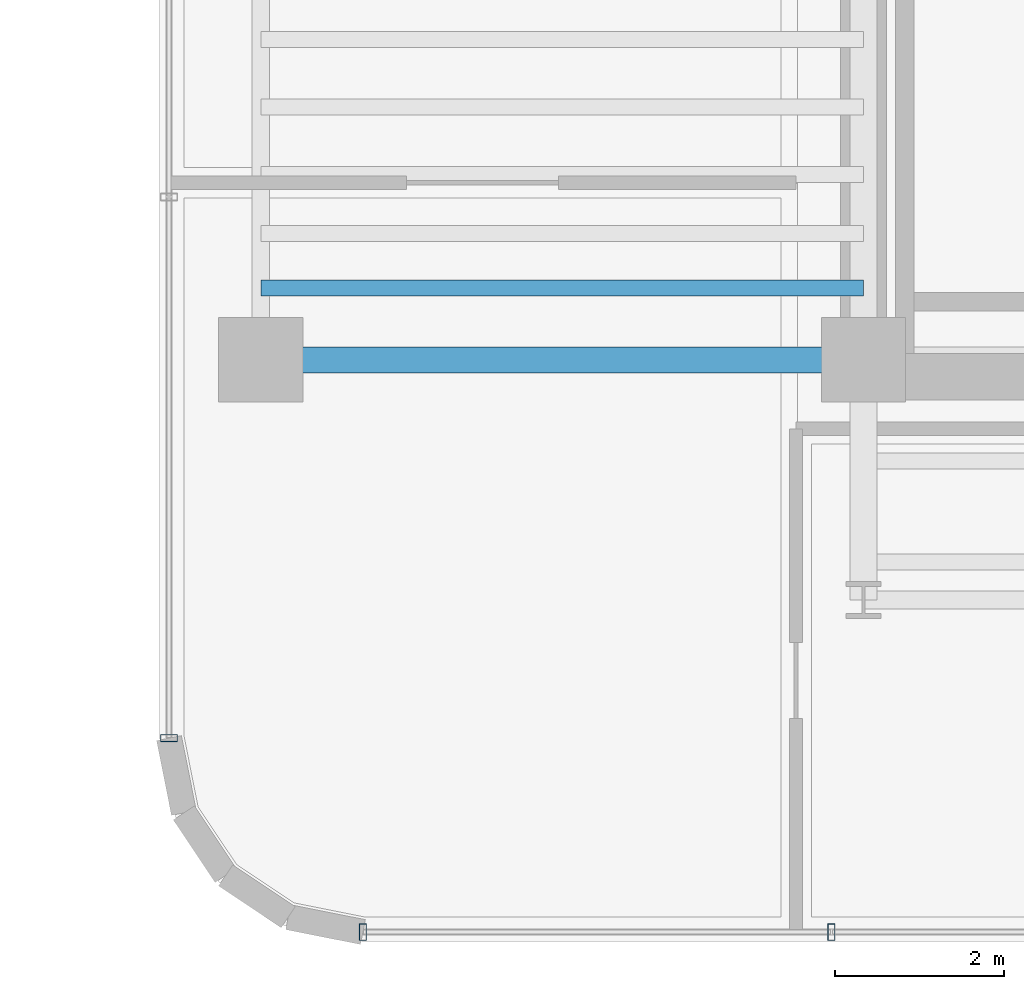
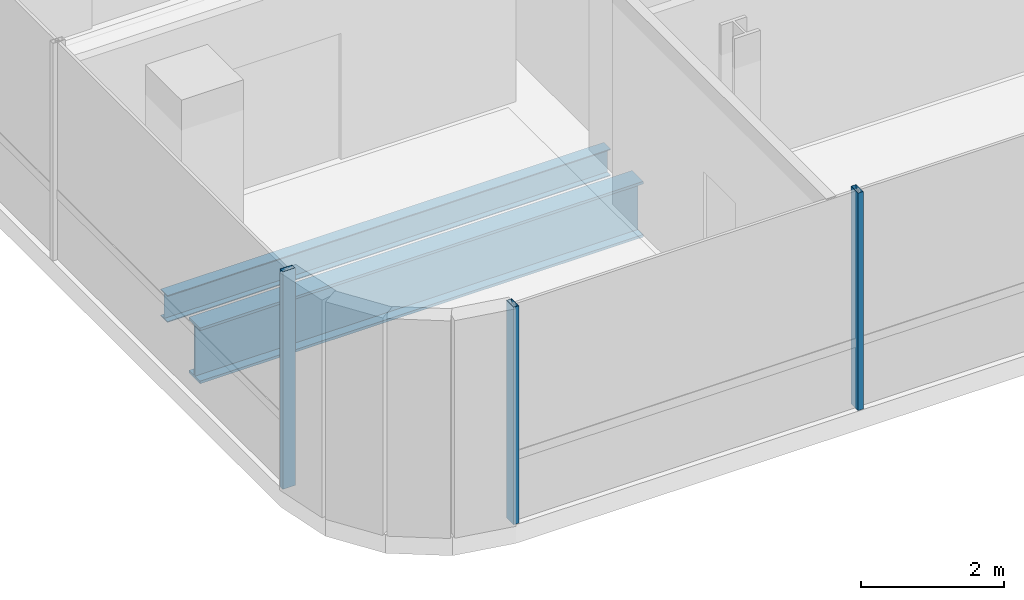
# One storey, part 2 of 35: 3 members, 2 beams, 2 elements without a shape of their own.
"""IFC4 building model written with IfcOpenShell, lengths in metres."""

from ifc_helpers import new_model, si_unit, direction, frame, origin, origin_2d, place, context, subcontext, project, spatial, hollow_rectangle, i_section, extrude, source, transform, mapped, material, material_profile, profile_set, type_object, element, aggregate, save


model = new_model("IFC4")

# Units and contexts
model_context = context("Model", 3, precision=1e-05, world=origin(), true_north=direction((0.0, 1.0)))
body_context = subcontext(model_context, "Body", "Model", "MODEL_VIEW")
ifc_project = project(units=[si_unit("LENGTHUNIT", "METRE"), si_unit("AREAUNIT", "SQUARE_METRE"), si_unit("VOLUMEUNIT", "CUBIC_METRE"), si_unit("PLANEANGLEUNIT", "RADIAN"), si_unit("MASSUNIT", "GRAM", prefix="KILO")], contexts=[model_context])

# Site, building, storey
site_placement = place(None, origin())
site = spatial("IfcSite", under=ifc_project, at=site_placement, CompositionType="ELEMENT")
building_placement = place(site_placement, origin())
building = spatial("IfcBuilding", under=site, at=building_placement, Name="Valdorenza Pilgrim Sanctuary Tower", CompositionType="ELEMENT")
storey_placement = place(building_placement, frame((0.0, 0.0, 192.35009765625)))
storey = spatial("IfcBuildingStorey", under=building, at=storey_placement, Name="L49", CompositionType="ELEMENT", Elevation=192.35009765625)

# Beams
ifc_material_1 = material(Name="Steel ASTM A992 Grade 50", Category="steel")
ifc_material_profile_1 = material_profile(ifc_material_1, i_section(OverallWidth=0.19091796875, OverallDepth=0.45703125, WebThickness=0.009033203125, FlangeThickness=0.014404296875, at=origin_2d()), Name="W18X50")
ifc_profile_set_1 = profile_set([ifc_material_profile_1], Name="Steel ASTM A992 Grade 50")
beam_type_1 = type_object("IfcBeamType", Name="STR-BM-JST-W18B", PredefinedType="JOIST", material=ifc_profile_set_1)
shared_shape_1 = source(origin(), body_context, "Body", "SweptSolid", [
    extrude(i_section(OverallWidth=0.19091796875, OverallDepth=0.45703125, WebThickness=0.009033203125, FlangeThickness=0.014404296875, at=origin_2d()), origin(), (0.0, 0.0, 1.0), 7.150146484375),
])
beam_1_placement = place(storey_placement, frame((-29.800048828125, -9.75, -0.548583984375), z_axis=(1.0, 0.0, 0.0), x_axis=(0.0, 1.0, 0.0)))
element("IfcBeam", 1, at=beam_1_placement, inside=storey, type_object=beam_type_1, Name="L49 Composite Floor Joist JST-WA-1", PredefinedType="JOIST", context=body_context, shape_type="MappedRepresentation", body=[
    mapped(shared_shape_1, transform((0.0, 0.0, 0.0), x_axis=(1.0, 0.0, 0.0), y_axis=(0.0, 1.0, 0.0), z_axis=(0.0, 0.0, 1.0), scale=1.0)),
])
ifc_material_profile_2 = material_profile(ifc_material_1, i_section(OverallWidth=0.31005859375, OverallDepth=0.949951171875, WebThickness=0.0244140625, FlangeThickness=0.0439453125, at=origin_2d()), Name="W36X256")
ifc_profile_set_2 = profile_set([ifc_material_profile_2], Name="Steel ASTM A992 Grade 50")
beam_type_2 = type_object("IfcBeamType", Name="STR-BM-GRD-W36B", PredefinedType="BEAM", material=ifc_profile_set_2)
shared_shape_2 = source(origin(), body_context, "Body", "SweptSolid", [
    extrude(i_section(OverallWidth=0.31005859375, OverallDepth=0.949951171875, WebThickness=0.0244140625, FlangeThickness=0.0439453125, at=origin_2d()), origin(), (0.0, 0.0, 1.0), 7.150146484375),
])
beam_2_placement = place(storey_placement, frame((-29.800048828125, -10.60009765625, -0.795166015625), z_axis=(1.0, 0.0, 0.0), x_axis=(0.0, 1.0, 0.0)))
element("IfcBeam", 2, at=beam_2_placement, inside=storey, type_object=beam_type_2, Name="L49 Floor Girder WA-XW-S1", PredefinedType="BEAM", context=body_context, shape_type="MappedRepresentation", body=[
    mapped(shared_shape_2, transform((0.0, 0.0, 0.0), x_axis=(1.0, 0.0, 0.0), y_axis=(0.0, 1.0, 0.0), z_axis=(0.0, 0.0, 1.0), scale=1.0)),
])

# Curtain wall, member
ifc_material_2 = material(Name="Curtain-wall IGU glazing", Category="glass")
curtain_wall_type = type_object("IfcCurtainWallType", Name="CW-SYS-02", PredefinedType="NOTDEFINED", material=ifc_material_2)
curtain_wall_1_placement = place(storey_placement, origin())
curtain_wall_1 = element("IfcCurtainWall", 3, at=curtain_wall_1_placement, inside=storey, type_object=curtain_wall_type, Name="L49 Curtain Wall CW-L49-1-1S1", PredefinedType="NOTDEFINED")
ifc_material_3 = material(Name="Anodised aluminium AW-6060", Category="aluminium")
ifc_material_profile_3 = material_profile(ifc_material_3, hollow_rectangle(XDim=0.0849609375, YDim=0.199951171875, WallThickness=0.0048828125, at=origin_2d()), Name="ALU-M 200x85x5")
ifc_profile_set_3 = profile_set([ifc_material_profile_3], Name="Anodised aluminium AW-6060")
member_type = type_object("IfcMemberType", Name="CW-MUL-02", PredefinedType="MULLION", material=ifc_profile_set_3)
shared_shape_3 = source(origin(), body_context, "Body", "SweptSolid", [
    extrude(hollow_rectangle(XDim=0.0849609375, YDim=0.199951171875, WallThickness=0.0048828125, at=origin_2d()), origin(), (0.0, 0.0, 1.0), 3.7099609375),
])
member_1_placement = place(storey_placement, frame((-30.889892578125, -15.089111328125, 0.0), z_axis=(0.0, 0.0, 1.0), x_axis=(0.0, 1.0, 0.0)))
member_1 = element("IfcMember", 4, at=member_1_placement, type_object=member_type, Name="CW-L49-1-1S1 Mullion 1", PredefinedType="MULLION", context=body_context, shape_type="MappedRepresentation", body=[
    mapped(shared_shape_3, transform((0.0, 0.0, 0.0), x_axis=(1.0, 0.0, 0.0), y_axis=(0.0, 1.0, 0.0), z_axis=(0.0, 0.0, 1.0), scale=1.0)),
])
aggregate(curtain_wall_1, [member_1])

# Curtain wall, members
curtain_wall_2_placement = place(storey_placement, origin())
curtain_wall_2 = element("IfcCurtainWall", 5, at=curtain_wall_2_placement, inside=storey, type_object=curtain_wall_type, Name="L49 Curtain Wall CW-L49-1-82", PredefinedType="NOTDEFINED")
member_2_placement = place(storey_placement, frame((-23.02978515625, -17.389892578125, 0.0), z_axis=(0.0, 0.0, 1.0), x_axis=(-1.0, 0.0, 0.0)))
member_2 = element("IfcMember", 6, at=member_2_placement, type_object=member_type, Name="CW-L49-1-82 Mullion 3", PredefinedType="MULLION", context=body_context, shape_type="MappedRepresentation", body=[
    mapped(shared_shape_3, transform((0.0, 0.0, 0.0), x_axis=(1.0, 0.0, 0.0), y_axis=(0.0, 1.0, 0.0), z_axis=(0.0, 0.0, 1.0), scale=1.0)),
])
member_3_placement = place(storey_placement, frame((-28.589111328125, -17.389892578125, 0.0), z_axis=(0.0, 0.0, 1.0), x_axis=(-1.0, 0.0, 0.0)))
member_3 = element("IfcMember", 7, at=member_3_placement, type_object=member_type, Name="CW-L49-1-82 Mullion 4", PredefinedType="MULLION", context=body_context, shape_type="MappedRepresentation", body=[
    mapped(shared_shape_3, transform((0.0, 0.0, 0.0), x_axis=(1.0, 0.0, 0.0), y_axis=(0.0, 1.0, 0.0), z_axis=(0.0, 0.0, 1.0), scale=1.0)),
])
aggregate(curtain_wall_2, [member_2, member_3])

save(model, "model.ifc")
